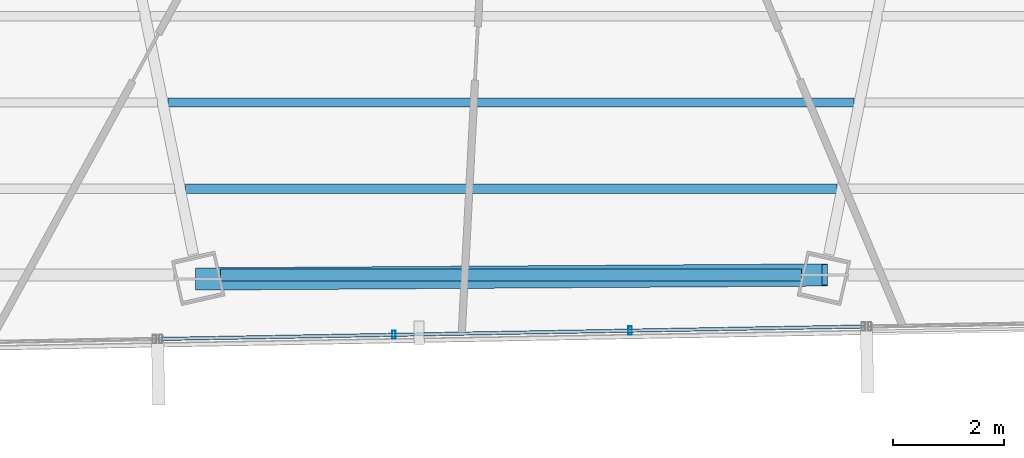
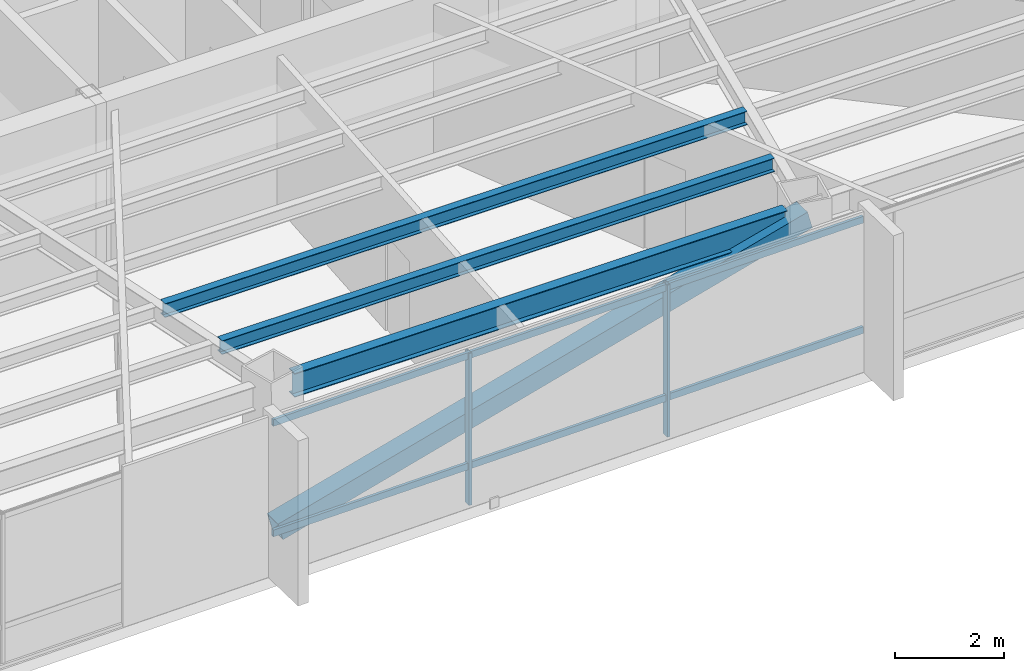
# One storey, part 13 of 42: 5 members, 3 beams, 1 element without a shape of its own.
"""IFC4 building model written with IfcOpenShell, lengths in metres."""

from ifc_helpers import new_model, si_unit, direction, frame, origin, origin_2d, place, context, subcontext, project, spatial, hollow_rectangle, i_section, extrude, source, transform, mapped, material, material_profile, profile_set, type_object, type_shapes, element, aggregate, save


model = new_model("IFC4")

# Units and contexts
model_context = context("Model", 3, precision=1e-05, world=origin(), true_north=direction((0.0, 1.0)))
body_context = subcontext(model_context, "Body", "Model", "MODEL_VIEW")
ifc_project = project(units=[si_unit("LENGTHUNIT", "METRE"), si_unit("AREAUNIT", "SQUARE_METRE"), si_unit("VOLUMEUNIT", "CUBIC_METRE"), si_unit("PLANEANGLEUNIT", "RADIAN"), si_unit("MASSUNIT", "GRAM", prefix="KILO")], contexts=[model_context])

# Site, building, storey
site_placement = place(None, origin())
site = spatial("IfcSite", under=ifc_project, at=site_placement, CompositionType="ELEMENT")
building_placement = place(site_placement, origin())
building = spatial("IfcBuilding", under=site, at=building_placement, Name="Caelisora Broadcast Tower", CompositionType="ELEMENT")
storey_placement = place(building_placement, frame((0.0, 0.0, 191.35009765625)))
storey = spatial("IfcBuildingStorey", under=building, at=storey_placement, Name="L50", CompositionType="ELEMENT", Elevation=191.35009765625)

# Beams
ifc_material_1 = material(Name="Steel Grade 350 (AS/NZS 3679.1)", Category="steel")
ifc_material_profile_1 = material_profile(ifc_material_1, i_section(OverallWidth=0.208984375, OverallDepth=0.532958984375, WebThickness=0.01025390625, FlangeThickness=0.015625, at=origin_2d()), Name="Steel Grade 350 (AS/NZS 3679.1)")
ifc_profile_set_1 = profile_set([ifc_material_profile_1], Name="Steel Grade 350 (AS/NZS 3679.1)")
beam_type_1 = type_object("IfcBeamType", Name="PG05", PredefinedType="BEAM", material=ifc_profile_set_1)
shared_shape_1 = source(origin(), body_context, "Body", "SweptSolid", [
    extrude(i_section(OverallWidth=0.208984375, OverallDepth=0.532958984375, WebThickness=0.01025390625, FlangeThickness=0.015625, at=origin_2d()), origin(), (0.0, 0.0, 1.0), 10.42578125),
])
type_shapes(beam_type_1, [shared_shape_1])
beam_1_placement = place(storey_placement, frame((32.787109375, 8.11572265625, 3.13330078125), z_axis=(1.0, 0.0, 0.0), x_axis=(0.0, 1.0, 0.0)))
element("IfcBeam", 1, at=beam_1_placement, inside=storey, type_object=beam_type_1, Name="L50 beam PG05", PredefinedType="BEAM", context=body_context, shape_type="MappedRepresentation", body=[
    mapped(shared_shape_1, transform((0.0, 0.0, 0.0), scale=1.0)),
])
ifc_material_profile_2 = material_profile(ifc_material_1, i_section(OverallWidth=0.166015625, OverallDepth=0.30712890625, WebThickness=0.006591796875, FlangeThickness=0.01171875, at=origin_2d()), Name="Steel Grade 350 (AS/NZS 3679.1)")
ifc_profile_set_2 = profile_set([ifc_material_profile_2], Name="Steel Grade 350 (AS/NZS 3679.1)")
beam_type_2 = type_object("IfcBeamType", Name="SB03", PredefinedType="JOIST", material=ifc_profile_set_2)
shared_shape_2 = source(origin(), body_context, "Body", "SweptSolid", [
    extrude(i_section(OverallWidth=0.166015625, OverallDepth=0.30712890625, WebThickness=0.006591796875, FlangeThickness=0.01171875, at=origin_2d()), origin(), (0.0, 0.0, 1.0), 12.31640625),
])
beam_2_placement = place(storey_placement, frame((31.841796875, 11.21044921875, 3.246337890625), z_axis=(1.0, 0.0, 0.0), x_axis=(0.0, 1.0, 0.0)))
element("IfcBeam", 2, at=beam_2_placement, inside=storey, type_object=beam_type_2, Name="L50 beam SB03", PredefinedType="JOIST", context=body_context, shape_type="MappedRepresentation", body=[
    mapped(shared_shape_2, transform((0.0, 0.0, 0.0), scale=1.0)),
])
shared_shape_3 = source(origin(), body_context, "Body", "SweptSolid", [
    extrude(i_section(OverallWidth=0.166015625, OverallDepth=0.30712890625, WebThickness=0.006591796875, FlangeThickness=0.01171875, at=origin_2d()), origin(), (0.0, 0.0, 1.0), 11.69287109375),
])
type_shapes(beam_type_2, [shared_shape_2, shared_shape_3])
beam_3_placement = place(storey_placement, frame((32.153564453125, 9.6630859375, 3.246337890625), z_axis=(1.0, 0.0, 0.0), x_axis=(0.0, 1.0, 0.0)))
element("IfcBeam", 3, at=beam_3_placement, inside=storey, type_object=beam_type_2, Name="L50 beam SB03", PredefinedType="JOIST", context=body_context, shape_type="MappedRepresentation", body=[
    mapped(shared_shape_3, transform((0.0, 0.0, 0.0), scale=1.0)),
])

# Member
ifc_material_2 = material(Name="Steel Grade 450 (AS/NZS 1163 C450L0)", Category="steel")
ifc_material_profile_3 = material_profile(ifc_material_2, hollow_rectangle(XDim=0.39990234375, YDim=0.39990234375, WallThickness=0.01611328125, at=origin_2d()), Name="Steel Grade 450 (AS/NZS 1163 C450L0)")
ifc_profile_set_3 = profile_set([ifc_material_profile_3], Name="Steel Grade 450 (AS/NZS 1163 C450L0)")
member_type_1 = type_object("IfcMemberType", Name="BR04", PredefinedType="BRACE", material=ifc_profile_set_3)
shared_shape_4 = source(origin(), body_context, "Body", "SweptSolid", [
    extrude(hollow_rectangle(XDim=0.39990234375, YDim=0.39990234375, WallThickness=0.01611328125, at=origin_2d()), origin(), (0.0, 0.0, 1.0), 11.635009765625),
])
type_shapes(member_type_1, [shared_shape_4])
member_1_placement = place(storey_placement, frame((32.387451171875, 8.04345703125, 0.099853515625), z_axis=(0.966167527673, 0.006211002024, 0.257840516452), x_axis=(-0.006428361038, 0.999979337874, 0.0)))
element("IfcMember", 4, at=member_1_placement, inside=storey, type_object=member_type_1, Name="L50 perimeter brace BR04", PredefinedType="BRACE", context=body_context, shape_type="MappedRepresentation", body=[
    mapped(shared_shape_4, transform((0.0, 0.0, 0.0), scale=1.0)),
])

# Curtain wall, members
ifc_material_3 = material(Name="Unitised Aluminium Insulated Shadow-Box Spandrel Curtain Wall", Category="aluminium")
curtain_wall_type = type_object("IfcCurtainWallType", Name="CW-SP2", PredefinedType="NOTDEFINED", material=ifc_material_3)
curtain_wall_placement = place(storey_placement, origin())
curtain_wall = element("IfcCurtainWall", 5, at=curtain_wall_placement, inside=storey, type_object=curtain_wall_type, Name="L50 curtain wall CW-SP2", PredefinedType="NOTDEFINED")
ifc_material_4 = material(Name="Aluminium 6063-T6 Anodised Terracotta Bronze", Category="aluminium")
ifc_material_profile_4 = material_profile(ifc_material_4, hollow_rectangle(XDim=0.06005859375, YDim=0.14990234375, WallThickness=0.00341796875, at=origin_2d()), Name="Aluminium 6063-T6 Anodised Terracotta Bronze")
ifc_profile_set_4 = profile_set([ifc_material_profile_4], Name="Aluminium 6063-T6 Anodised Terracotta Bronze")
member_type_2 = type_object("IfcMemberType", Name="CWM-03", PredefinedType="MULLION", material=ifc_profile_set_4)
shared_shape_5 = source(origin(), body_context, "Body", "SweptSolid", [
    extrude(hollow_rectangle(XDim=0.06005859375, YDim=0.14990234375, WallThickness=0.00341796875, at=origin_2d()), origin(), (0.0, 0.0, 1.0), 3.39990234375),
])
type_shapes(member_type_2, [shared_shape_5])
member_2_placement = place(storey_placement, frame((40.135498046875, 7.11669921875, 0.0), z_axis=(0.0, 0.0, 1.0), x_axis=(1.0, 0.0, 0.0)))
member_2 = element("IfcMember", 6, at=member_2_placement, type_object=member_type_2, Name="L50-CW-B06 mullion #1", PredefinedType="MULLION", context=body_context, shape_type="MappedRepresentation", body=[
    mapped(shared_shape_5, transform((0.0, 0.0, 0.0), scale=1.0)),
])
member_3_placement = place(storey_placement, frame((35.8984375, 7.0419921875, 0.0), z_axis=(0.0, 0.0, 1.0), x_axis=(1.0, 0.0, 0.0)))
member_3 = element("IfcMember", 7, at=member_3_placement, type_object=member_type_2, Name="L50-CW-B06 mullion #2", PredefinedType="MULLION", context=body_context, shape_type="MappedRepresentation", body=[
    mapped(shared_shape_5, transform((0.0, 0.0, 0.0), scale=1.0)),
])
ifc_material_profile_5 = material_profile(ifc_material_4, hollow_rectangle(XDim=0.06005859375, YDim=0.14990234375, WallThickness=0.00341796875, at=origin_2d()), Name="Aluminium 6063-T6 Anodised Terracotta Bronze")
ifc_profile_set_5 = profile_set([ifc_material_profile_5], Name="Aluminium 6063-T6 Anodised Terracotta Bronze")
member_type_3 = type_object("IfcMemberType", Name="CWT-02", PredefinedType="USERDEFINED", material=ifc_profile_set_5)
shared_shape_6 = source(origin(), body_context, "Body", "SweptSolid", [
    extrude(hollow_rectangle(XDim=0.06005859375, YDim=0.14990234375, WallThickness=0.00341796875, at=origin_2d()), origin(), (0.0, 0.0, 1.0), 12.613525390625),
])
type_shapes(member_type_3, [shared_shape_6])
member_4_placement = place(storey_placement, frame((44.32275390625, 7.19091796875, 0.849853515625), z_axis=(-0.999843846593, -0.017671514644, 0.0), x_axis=(0.017671514644, -0.999843846593, 0.0)))
member_4 = element("IfcMember", 8, at=member_4_placement, type_object=member_type_3, Name="L50-CW-B06 transom #1", ObjectType="TRANSOM", PredefinedType="USERDEFINED", context=body_context, shape_type="MappedRepresentation", body=[
    mapped(shared_shape_6, transform((0.0, 0.0, 0.0), scale=1.0)),
])
member_5_placement = place(storey_placement, frame((44.32275390625, 7.19091796875, 3.31982421875), z_axis=(-0.999843846593, -0.017671514644, 0.0), x_axis=(0.017671514644, -0.999843846593, 0.0)))
member_5 = element("IfcMember", 9, at=member_5_placement, type_object=member_type_3, Name="L50-CW-B06 transom #2", ObjectType="TRANSOM", PredefinedType="USERDEFINED", context=body_context, shape_type="MappedRepresentation", body=[
    mapped(shared_shape_6, transform((0.0, 0.0, 0.0), scale=1.0)),
])
aggregate(curtain_wall, [member_2, member_3, member_4, member_5])

save(model, "model.ifc")
